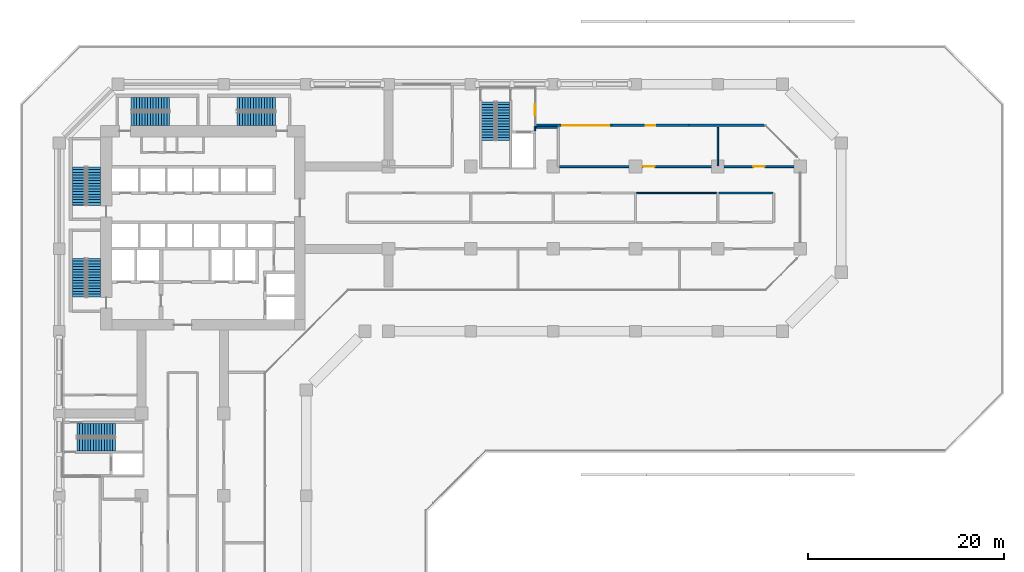
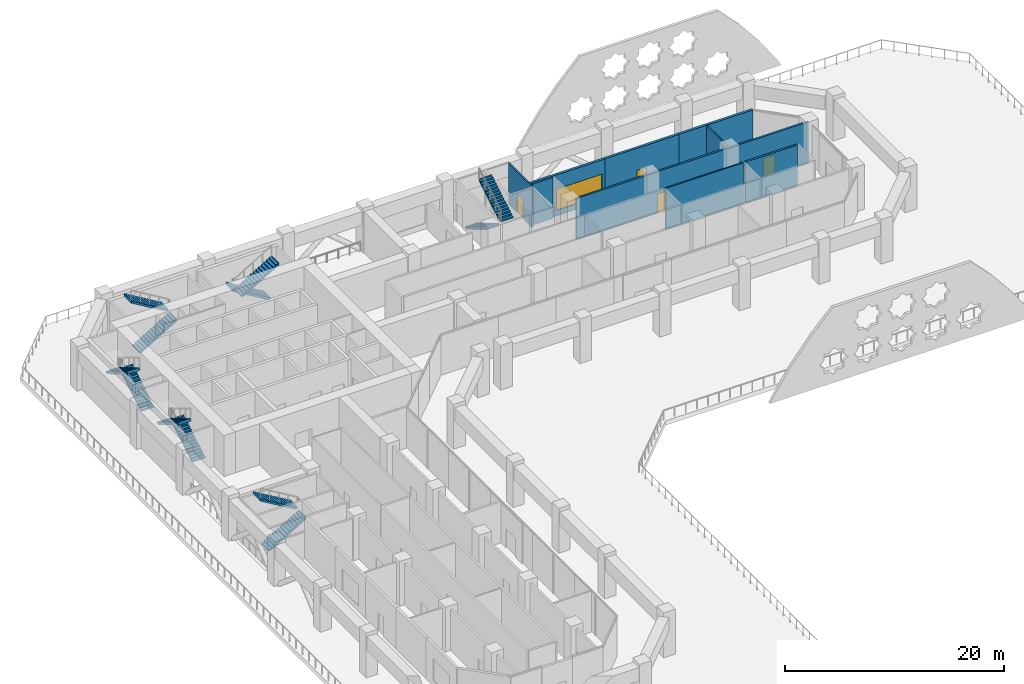
# One storey, part 10 of 19: 12 stair flights, 9 walls, 4 doors, 1 window, 5 openings, 6 elements without a shape of their own.
"""IFC4 building model written with IfcOpenShell, lengths in metres."""

from ifc_helpers import new_model, si_unit, direction, frame, frame_2d, origin, place, context, subcontext, project, spatial, polyline, rectangle, outline, extrude, material, layer, layer_set, type_object, element, fill, aggregate, save


model = new_model("IFC4")

# Units and contexts
model_context = context("Model", 3, precision=1e-05, world=origin(), true_north=direction((0.0, 1.0)))
body_context = subcontext(model_context, "Body", "Model", "MODEL_VIEW")
ifc_project = project(units=[si_unit("LENGTHUNIT", "METRE"), si_unit("AREAUNIT", "SQUARE_METRE"), si_unit("VOLUMEUNIT", "CUBIC_METRE"), si_unit("PLANEANGLEUNIT", "RADIAN"), si_unit("MASSUNIT", "GRAM", prefix="KILO")], contexts=[model_context])

# Site, building, storey
site_placement = place(None, origin())
site = spatial("IfcSite", under=ifc_project, at=site_placement, CompositionType="ELEMENT")
building_placement = place(site_placement, origin())
building = spatial("IfcBuilding", under=site, at=building_placement, Name="Kawkab Arch Medical Tower", CompositionType="ELEMENT")
storey_placement = place(building_placement, frame((0.0, 0.0, 34.199951171875)))
storey = spatial("IfcBuildingStorey", under=building, at=storey_placement, Name="L07", CompositionType="ELEMENT", Elevation=34.199951171875)

# Wall, opening, door
ifc_material_1 = material(Name="Gypsum board on steel studs", Category="steel")
ifc_layer_1 = layer(ifc_material_1, 0.14990234375)
ifc_layer_set_1 = layer_set([ifc_layer_1], Name="Gypsum board on steel studs")
wall_type_1 = type_object("IfcWallType", Name="Core room partition 150", PredefinedType="PARTITIONING", material=ifc_layer_set_1)
wall_1_placement = place(storey_placement, frame((48.52490234375, -4.77490234375, 0.0), z_axis=(0.0, 0.0, 1.0), x_axis=(0.0, 1.0, 0.0)))
wall_1 = element("IfcWall", 1, at=wall_1_placement, inside=storey, type_object=wall_type_1, Name="L07 core room partition", PredefinedType="PARTITIONING", context=body_context, shape_type="SweptSolid", body=[
    extrude(rectangle(XDim=4.324951171875, YDim=0.14990234375, at=frame_2d((2.16259765625, 0.0))), origin(), (0.0, 0.0, 1.0), 4.580078125),
])
opening_1_placement = place(wall_1_placement, frame((1.625, 0.0, 0.0)))
opening_1 = element("IfcOpeningElement", 2, at=opening_1_placement, cuts=wall_1, Name="Opening FD", PredefinedType="OPENING", context=body_context, shape_type="SweptSolid", body=[
    extrude(rectangle(XDim=1.10009765625, YDim=2.10009765625, at=frame_2d((0.550048828125, 1.050048828125))), frame((0.0, 0.0849609375, 0.0), z_axis=(0.0, -1.0, 0.0), x_axis=(1.0, 0.0, 0.0)), (0.0, 0.0, 1.0), 0.169921875),
])
ifc_material_2 = material(Name="Hollow metal fire door leaf")
door_type_1 = type_object("IfcDoorType", Name="Firefighting lobby door 1100", OperationType="SINGLE_SWING_LEFT", PredefinedType="DOOR", material=ifc_material_2)
door_1_placement = place(opening_1_placement, origin())
door_1 = element("IfcDoor", 3, at=door_1_placement, inside=storey, type_object=door_type_1, Name="L07 Service lift lobby door SV1", OperationType="SINGLE_SWING_LEFT", OverallHeight=2.10009765625, OverallWidth=1.10009765625, PredefinedType="DOOR", context=body_context, shape_type="SweptSolid", body=[
    extrude(rectangle(XDim=1.10009765625, YDim=2.10009765625, at=frame_2d((0.550048828125, 1.050048828125))), frame((0.0, 0.02490234375, 0.0), z_axis=(0.0, -1.0, 0.0), x_axis=(1.0, 0.0, 0.0)), (0.0, 0.0, 1.0), 0.050048828125),
])
fill(opening_1, door_1)

# Wall
ifc_material_3 = material(Name="Bronze clad insulated wall panel")
ifc_layer_2 = layer(ifc_material_3, 0.25)
ifc_layer_set_2 = layer_set([ifc_layer_2], Name="Bronze clad insulated wall panel")
wall_type_2 = type_object("IfcWallType", Name="External wall bay 250", PredefinedType="SOLIDWALL", material=ifc_layer_set_2)
wall_2_placement = place(storey_placement, frame((72.06005859375, -4.199951171875, 0.0), z_axis=(0.0, 0.0, 1.0), x_axis=(-1.0, 0.0, 0.0)))
element("IfcWall", 4, at=wall_2_placement, inside=storey, type_object=wall_type_2, Name="Plant wall L07.R15.1", PredefinedType="SOLIDWALL", context=body_context, shape_type="SweptSolid", body=[
    extrude(rectangle(XDim=7.81982421875, YDim=0.25, at=frame_2d((3.909912109375, 0.0))), origin(), (0.0, 0.0, 1.0), 4.580078125),
])

# Wall, opening, door
wall_3_placement = place(storey_placement, frame((64.240234375, -4.199951171875, 0.0), z_axis=(0.0, 0.0, 1.0), x_axis=(-1.0, 0.0, 0.0)))
wall_3 = element("IfcWall", 5, at=wall_3_placement, inside=storey, type_object=wall_type_2, Name="Plant wall L07.R15.2", PredefinedType="SOLIDWALL", context=body_context, shape_type="SweptSolid", body=[
    extrude(rectangle(XDim=7.819580078125, YDim=0.25, at=frame_2d((3.90966796875, 0.0))), origin(), (0.0, 0.0, 1.0), 4.580078125),
])
opening_2_placement = place(wall_3_placement, frame((3.4091796875, 0.0, 0.0)))
opening_2 = element("IfcOpeningElement", 6, at=opening_2_placement, cuts=wall_3, Name="Opening PL1A-701", PredefinedType="OPENING", context=body_context, shape_type="SweptSolid", body=[
    extrude(rectangle(XDim=1.0, YDim=2.10009765625, at=frame_2d((0.5, 1.050048828125))), frame((0.0, 0.135009765625, 0.0), z_axis=(0.0, -1.0, 0.0), x_axis=(1.0, 0.0, 0.0)), (0.0, 0.0, 1.0), 0.27001953125),
])
ifc_material_4 = material(Name="Bronze anodised aluminium door with tinted glass", Category="aluminium")
door_type_2 = type_object("IfcDoorType", Name="Single external door 1000 x 2100", OperationType="SINGLE_SWING_LEFT", PredefinedType="DOOR", material=ifc_material_4)
door_2_placement = place(opening_2_placement, origin())
door_2 = element("IfcDoor", 7, at=door_2_placement, inside=storey, type_object=door_type_2, Name="Roof terrace door L07.R15.2", OperationType="SINGLE_SWING_LEFT", OverallHeight=2.10009765625, OverallWidth=1.0, PredefinedType="DOOR", context=body_context, shape_type="SweptSolid", body=[
    extrude(rectangle(XDim=1.0, YDim=2.10009765625, at=frame_2d((0.5, 1.050048828125))), frame((0.0, 0.02490234375, 0.0), z_axis=(0.0, -1.0, 0.0), x_axis=(1.0, 0.0, 0.0)), (0.0, 0.0, 1.0), 0.050048828125),
])
fill(opening_2, door_2)

# Wall, opening, window
wall_4_placement = place(storey_placement, frame((56.420654296875, -4.199951171875, 0.0), z_axis=(0.0, 0.0, 1.0), x_axis=(-1.0, 0.0, 0.0)))
wall_4 = element("IfcWall", 8, at=wall_4_placement, inside=storey, type_object=wall_type_2, Name="Plant wall L07.R15.3", PredefinedType="SOLIDWALL", context=body_context, shape_type="SweptSolid", body=[
    extrude(rectangle(XDim=7.819580078125, YDim=0.25, at=frame_2d((3.90966796875, 0.0))), origin(), (0.0, 0.0, 1.0), 4.580078125),
])
opening_3_placement = place(wall_4_placement, frame((0.309814453125, 0.0, 0.60009765625)))
opening_3 = element("IfcOpeningElement", 9, at=opening_3_placement, cuts=wall_4, Name="Opening PW480-24-S6", PredefinedType="OPENING", context=body_context, shape_type="SweptSolid", body=[
    extrude(rectangle(XDim=4.800048828125, YDim=2.39990234375, at=frame_2d((2.39990234375, 1.199951171875))), frame((0.0, 0.135009765625, 0.0), z_axis=(0.0, -1.0, 0.0), x_axis=(1.0, 0.0, 0.0)), (0.0, 0.0, 1.0), 0.27001953125),
])
ifc_material_5 = material(Name="Bronze anodised aluminium louvred window", Category="aluminium")
window_type = type_object("IfcWindowType", Name="Plant louvre window 4800 x 2400 sill 600", PartitioningType="DOUBLE_PANEL_VERTICAL", PredefinedType="WINDOW", material=ifc_material_5)
window_placement = place(opening_3_placement, origin())
window = element("IfcWindow", 10, at=window_placement, inside=storey, type_object=window_type, Name="Plant louvre window L07.R15.3", OverallHeight=2.39990234375, OverallWidth=4.800048828125, PartitioningType="SINGLE_PANEL", PredefinedType="WINDOW", context=body_context, shape_type="SweptSolid", body=[
    extrude(rectangle(XDim=4.800048828125, YDim=2.39990234375, at=frame_2d((2.39990234375, 1.199951171875))), frame((0.0, 0.030029296875, 0.0), z_axis=(0.0, -1.0, 0.0), x_axis=(1.0, 0.0, 0.0)), (0.0, 0.0, 1.0), 0.06005859375),
])
fill(opening_3, window)

# Walls
ifc_material_6 = material(Name="Gypsum board partition on steel studs, mineral wool", Category="steel")
ifc_layer_3 = layer(ifc_material_6, 0.14990234375)
ifc_layer_set_3 = layer_set([ifc_layer_3], Name="Gypsum board partition on steel studs, mineral wool")
wall_type_3 = type_object("IfcWallType", Name="Partition 150", PredefinedType="PARTITIONING", material=ifc_layer_set_3)
wall_5_placement = place(storey_placement, frame((58.89990234375, -11.10009765625, 0.0), z_axis=(0.0, 0.0, 1.0), x_axis=(1.0, 0.0, 0.0)))
element("IfcWall", 11, at=wall_5_placement, inside=storey, type_object=wall_type_3, Name="Partition 150 w011", PredefinedType="PARTITIONING", context=body_context, shape_type="SweptSolid", body=[
    extrude(rectangle(XDim=8.2001953125, YDim=0.14990234375, at=frame_2d((4.10009765625, 0.0))), origin(), (0.0, 0.0, 1.0), 4.580078125),
])
wall_6_placement = place(storey_placement, frame((67.199951171875, -8.300048828125, 0.0), z_axis=(0.0, 0.0, 1.0), x_axis=(0.0, 1.0, 0.0)))
element("IfcWall", 12, at=wall_6_placement, inside=storey, type_object=wall_type_3, Name="Partition 150 w017", PredefinedType="PARTITIONING", context=body_context, shape_type="SweptSolid", body=[
    extrude(rectangle(XDim=3.900146484375, YDim=0.14990234375, at=frame_2d((1.9501953125, 0.0))), origin(), (0.0, 0.0, 1.0), 4.580078125),
])
ifc_material_7 = material(Name="Fire-rated gypsum board partition on steel studs", Category="steel")
ifc_layer_4 = layer(ifc_material_7, 0.199951171875)
ifc_layer_set_4 = layer_set([ifc_layer_4], Name="Fire-rated gypsum board partition on steel studs")
wall_type_4 = type_object("IfcWallType", Name="Protected partition 200", PredefinedType="PARTITIONING", material=ifc_layer_set_4)
wall_7_placement = place(storey_placement, frame((67.300048828125, -11.10009765625, 0.0), z_axis=(0.0, 0.0, 1.0), x_axis=(1.0, 0.0, 0.0)))
element("IfcWall", 13, at=wall_7_placement, inside=storey, type_object=wall_type_4, Name="Protected partition 200 w029", PredefinedType="PARTITIONING", context=body_context, shape_type="SweptSolid", body=[
    extrude(rectangle(XDim=5.4970703125, YDim=0.199951171875, at=frame_2d((2.74853515625, 0.0))), origin(), (0.0, 0.0, 1.0), 4.580078125),
])

# Wall, openings, doors
wall_8_placement = place(storey_placement, frame((51.027099609375, -8.39990234375, 0.0), z_axis=(0.0, 0.0, 1.0), x_axis=(1.0, 0.0, 0.0)))
wall_8 = element("IfcWall", 14, at=wall_8_placement, inside=storey, type_object=wall_type_4, Name="Protected partition 200 w031", PredefinedType="PARTITIONING", context=body_context, shape_type="SweptSolid", body=[
    extrude(rectangle(XDim=24.492919921875, YDim=0.199951171875, at=frame_2d((12.24658203125, 0.0))), origin(), (0.0, 0.0, 1.0), 4.580078125),
])
opening_4_placement = place(wall_8_placement, frame((8.537109375, 0.0, 0.0)))
opening_4 = element("IfcOpeningElement", 15, at=opening_4_placement, cuts=wall_8, Name="Opening PL1A-005", PredefinedType="OPENING", context=body_context, shape_type="SweptSolid", body=[
    extrude(rectangle(XDim=1.199951171875, YDim=2.10009765625, at=frame_2d((0.60009765625, 1.050048828125))), frame((0.0, 0.10986328125, 0.0), z_axis=(0.0, -1.0, 0.0), x_axis=(1.0, 0.0, 0.0)), (0.0, 0.0, 1.0), 0.219970703125),
])
opening_5_placement = place(wall_8_placement, frame((19.77294921875, 0.0, 0.0)))
opening_5 = element("IfcOpeningElement", 16, at=opening_5_placement, cuts=wall_8, Name="Opening PL1A-006", PredefinedType="OPENING", context=body_context, shape_type="SweptSolid", body=[
    extrude(rectangle(XDim=1.199951171875, YDim=2.10009765625, at=frame_2d((0.60009765625, 1.050048828125))), frame((0.0, 0.10986328125, 0.0), z_axis=(0.0, -1.0, 0.0), x_axis=(1.0, 0.0, 0.0)), (0.0, 0.0, 1.0), 0.219970703125),
])
ifc_material_8 = material(Name="Hollow metal door leaf")
door_type_3 = type_object("IfcDoorType", Name="Single door 1200x2100 FD60", OperationType="NOTDEFINED", PredefinedType="DOOR", material=ifc_material_8)
door_3_placement = place(opening_4_placement, origin())
door_3 = element("IfcDoor", 17, at=door_3_placement, inside=storey, type_object=door_type_3, Name="Door PL1A-005", OperationType="SINGLE_SWING_LEFT", OverallHeight=2.10009765625, OverallWidth=1.199951171875, PredefinedType="DOOR", context=body_context, shape_type="SweptSolid", body=[
    extrude(rectangle(XDim=1.199951171875, YDim=2.10009765625, at=frame_2d((0.60009765625, 1.050048828125))), frame((0.0, 0.02490234375, 0.0), z_axis=(0.0, -1.0, 0.0), x_axis=(1.0, 0.0, 0.0)), (0.0, 0.0, 1.0), 0.050048828125),
])
fill(opening_4, door_3)
door_4_placement = place(opening_5_placement, origin())
door_4 = element("IfcDoor", 18, at=door_4_placement, inside=storey, type_object=door_type_3, Name="Door PL1A-006", OperationType="SINGLE_SWING_RIGHT", OverallHeight=2.10009765625, OverallWidth=1.199951171875, PredefinedType="DOOR", context=body_context, shape_type="SweptSolid", body=[
    extrude(rectangle(XDim=1.199951171875, YDim=2.10009765625, at=frame_2d((0.60009765625, 1.050048828125))), frame((0.0, 0.02490234375, 0.0), z_axis=(0.0, -1.0, 0.0), x_axis=(1.0, 0.0, 0.0)), (0.0, 0.0, 1.0), 0.050048828125),
])
fill(opening_5, door_4)

# Wall
wall_9_placement = place(storey_placement, frame((48.679931640625, -4.39990234375, 0.0), z_axis=(0.0, 0.0, 1.0), x_axis=(1.0, 0.0, 0.0)))
element("IfcWall", 19, at=wall_9_placement, inside=storey, type_object=wall_type_4, Name="Protected partition 200 w032", PredefinedType="PARTITIONING", context=body_context, shape_type="SweptSolid", body=[
    extrude(rectangle(XDim=2.14306640625, YDim=0.199951171875, at=frame_2d((1.071533203125, 0.0))), origin(), (0.0, 0.0, 1.0), 4.580078125),
])

# Stair, stair flights
ifc_material_9 = material(Name="Concrete C40/50", Category="concrete")
stair_type = type_object("IfcStairType", Name="Exit stair 1350", PredefinedType="HALF_TURN_STAIR", material=ifc_material_9)
placement = place(storey_placement, origin())
stair_1 = element("IfcStair", 20, at=placement, inside=storey, type_object=stair_type, Name="L07 Exit stair ST1", PredefinedType="HALF_TURN_STAIR")
ifc_material_10 = material(Name="Concrete C40/50", Category="concrete")
stair_flight_type = type_object("IfcStairFlightType", Name="Exit stair flight 1350", PredefinedType="STRAIGHT", material=ifc_material_10)
stair_flight_1_placement = place(storey_placement, frame((3.52490234375, -12.35009765625, 0.0), z_axis=(0.0, 0.0, 1.0), x_axis=(0.0, 1.0, 0.0)))
stair_flight_1 = element("IfcStairFlight", 21, at=stair_flight_1_placement, type_object=stair_flight_type, Name="ST1 flight 1", NumberOfRisers=15, NumberOfTreads=14, PredefinedType="STRAIGHT", RiserHeight=0.166666667, TreadLength=0.28, context=body_context, shape_type="SweptSolid", body=[
    extrude(outline(polyline([(-0.0029296875, 0.0), (-0.0029296875, 0.166748046875), (0.0, 0.166748046875), (0.280029296875, 0.166748046875), (0.280029296875, 0.333251953125), (0.56005859375, 0.333251953125), (0.56005859375, 0.5), (0.840087890625, 0.5), (0.840087890625, 0.666748046875), (1.1201171875, 0.666748046875), (1.1201171875, 0.833251953125), (1.39990234375, 0.833251953125), (1.39990234375, 1.0), (1.679931640625, 1.0), (1.679931640625, 1.166748046875), (1.9599609375, 1.166748046875), (1.9599609375, 1.333251953125), (2.239990234375, 1.333251953125), (2.239990234375, 1.5), (2.52001953125, 1.5), (2.52001953125, 1.666748046875), (2.800048828125, 1.666748046875), (2.800048828125, 1.833251953125), (3.080078125, 1.833251953125), (3.080078125, 2.0), (3.360107421875, 2.0), (3.360107421875, 2.166748046875), (3.639892578125, 2.166748046875), (3.639892578125, 2.333251953125), (3.919921875, 2.333251953125), (3.919921875, 2.5), (3.923095703125, 2.5), (3.923095703125, 2.158935546875), (3.919921875, 2.158935546875), (0.29296875, 0.0), (-0.0029296875, 0.0)])), frame((0.0, 0.675048828125, 0.0), z_axis=(0.0, -1.0, 0.0), x_axis=(1.0, 0.0, 0.0)), (0.0, 0.0, 1.0), 1.35009765625),
])
stair_flight_2_placement = place(storey_placement, frame((2.02490234375, -8.429931640625, 2.5), z_axis=(0.0, 0.0, 1.0), x_axis=(0.0, -1.0, 0.0)))
stair_flight_2 = element("IfcStairFlight", 22, at=stair_flight_2_placement, type_object=stair_flight_type, Name="ST1 flight 2", NumberOfRisers=15, NumberOfTreads=14, PredefinedType="STRAIGHT", RiserHeight=0.166666667, TreadLength=0.28, context=body_context, shape_type="SweptSolid", body=[
    extrude(outline(polyline([(-0.0029296875, 0.0), (-0.0029296875, 0.166748046875), (0.0, 0.166748046875), (0.280029296875, 0.166748046875), (0.280029296875, 0.333251953125), (0.56005859375, 0.333251953125), (0.56005859375, 0.5), (0.840087890625, 0.5), (0.840087890625, 0.666748046875), (1.1201171875, 0.666748046875), (1.1201171875, 0.833251953125), (1.39990234375, 0.833251953125), (1.39990234375, 1.0), (1.679931640625, 1.0), (1.679931640625, 1.166748046875), (1.9599609375, 1.166748046875), (1.9599609375, 1.333251953125), (2.239990234375, 1.333251953125), (2.239990234375, 1.5), (2.52001953125, 1.5), (2.52001953125, 1.666748046875), (2.800048828125, 1.666748046875), (2.800048828125, 1.833251953125), (3.080078125, 1.833251953125), (3.080078125, 2.0), (3.360107421875, 2.0), (3.360107421875, 2.166748046875), (3.639892578125, 2.166748046875), (3.639892578125, 2.333251953125), (3.919921875, 2.333251953125), (3.919921875, 2.5), (3.923095703125, 2.5), (3.923095703125, 2.158935546875), (3.919921875, 2.158935546875), (0.29296875, 0.0), (-0.0029296875, 0.0)])), frame((0.0, 0.675048828125, 0.0), z_axis=(0.0, -1.0, 0.0), x_axis=(1.0, 0.0, 0.0)), (0.0, 0.0, 1.0), 1.35009765625),
])
aggregate(stair_1, [stair_flight_1, stair_flight_2])

stair_2 = element("IfcStair", 23, at=placement, inside=storey, type_object=stair_type, Name="L07 Exit stair ST2", PredefinedType="HALF_TURN_STAIR")
stair_flight_3_placement = place(storey_placement, frame((3.52490234375, -21.699951171875, 0.0), z_axis=(0.0, 0.0, 1.0), x_axis=(0.0, 1.0, 0.0)))
stair_flight_3 = element("IfcStairFlight", 24, at=stair_flight_3_placement, type_object=stair_flight_type, Name="ST2 flight 1", NumberOfRisers=15, NumberOfTreads=14, PredefinedType="STRAIGHT", RiserHeight=0.166666667, TreadLength=0.28, context=body_context, shape_type="SweptSolid", body=[
    extrude(outline(polyline([(-0.0029296875, 0.0), (-0.0029296875, 0.166748046875), (0.0, 0.166748046875), (0.280029296875, 0.166748046875), (0.280029296875, 0.333251953125), (0.56005859375, 0.333251953125), (0.56005859375, 0.5), (0.840087890625, 0.5), (0.840087890625, 0.666748046875), (1.1201171875, 0.666748046875), (1.1201171875, 0.833251953125), (1.39990234375, 0.833251953125), (1.39990234375, 1.0), (1.679931640625, 1.0), (1.679931640625, 1.166748046875), (1.9599609375, 1.166748046875), (1.9599609375, 1.333251953125), (2.239990234375, 1.333251953125), (2.239990234375, 1.5), (2.52001953125, 1.5), (2.52001953125, 1.666748046875), (2.800048828125, 1.666748046875), (2.800048828125, 1.833251953125), (3.080078125, 1.833251953125), (3.080078125, 2.0), (3.360107421875, 2.0), (3.360107421875, 2.166748046875), (3.639892578125, 2.166748046875), (3.639892578125, 2.333251953125), (3.919921875, 2.333251953125), (3.919921875, 2.5), (3.923095703125, 2.5), (3.923095703125, 2.158935546875), (3.919921875, 2.158935546875), (0.29296875, 0.0), (-0.0029296875, 0.0)])), frame((0.0, 0.675048828125, 0.0), z_axis=(0.0, -1.0, 0.0), x_axis=(1.0, 0.0, 0.0)), (0.0, 0.0, 1.0), 1.35009765625),
])
stair_flight_4_placement = place(storey_placement, frame((2.02490234375, -17.780029296875, 2.5), z_axis=(0.0, 0.0, 1.0), x_axis=(0.0, -1.0, 0.0)))
stair_flight_4 = element("IfcStairFlight", 25, at=stair_flight_4_placement, type_object=stair_flight_type, Name="ST2 flight 2", NumberOfRisers=15, NumberOfTreads=14, PredefinedType="STRAIGHT", RiserHeight=0.166666667, TreadLength=0.28, context=body_context, shape_type="SweptSolid", body=[
    extrude(outline(polyline([(-0.0029296875, 0.0), (-0.0029296875, 0.166748046875), (0.0, 0.166748046875), (0.280029296875, 0.166748046875), (0.280029296875, 0.333251953125), (0.56005859375, 0.333251953125), (0.56005859375, 0.5), (0.840087890625, 0.5), (0.840087890625, 0.666748046875), (1.1201171875, 0.666748046875), (1.1201171875, 0.833251953125), (1.39990234375, 0.833251953125), (1.39990234375, 1.0), (1.679931640625, 1.0), (1.679931640625, 1.166748046875), (1.9599609375, 1.166748046875), (1.9599609375, 1.333251953125), (2.239990234375, 1.333251953125), (2.239990234375, 1.5), (2.52001953125, 1.5), (2.52001953125, 1.666748046875), (2.800048828125, 1.666748046875), (2.800048828125, 1.833251953125), (3.080078125, 1.833251953125), (3.080078125, 2.0), (3.360107421875, 2.0), (3.360107421875, 2.166748046875), (3.639892578125, 2.166748046875), (3.639892578125, 2.333251953125), (3.919921875, 2.333251953125), (3.919921875, 2.5), (3.923095703125, 2.5), (3.923095703125, 2.158935546875), (3.919921875, 2.158935546875), (0.29296875, 0.0), (-0.0029296875, 0.0)])), frame((0.0, 0.675048828125, 0.0), z_axis=(0.0, -1.0, 0.0), x_axis=(1.0, 0.0, 0.0)), (0.0, 0.0, 1.0), 1.35009765625),
])
aggregate(stair_2, [stair_flight_3, stair_flight_4])

stair_3 = element("IfcStair", 26, at=placement, inside=storey, type_object=stair_type, Name="L07 Exit stair ST3", PredefinedType="HALF_TURN_STAIR")
stair_flight_5_placement = place(storey_placement, frame((7.35009765625, -3.52490234375, 0.0), z_axis=(0.0, 0.0, 1.0), x_axis=(1.0, 0.0, 0.0)))
stair_flight_5 = element("IfcStairFlight", 27, at=stair_flight_5_placement, type_object=stair_flight_type, Name="ST3 flight 1", NumberOfRisers=15, NumberOfTreads=14, PredefinedType="STRAIGHT", RiserHeight=0.166666667, TreadLength=0.28, context=body_context, shape_type="SweptSolid", body=[
    extrude(outline(polyline([(-0.0029296875, 0.0), (-0.0029296875, 0.166748046875), (0.0, 0.166748046875), (0.280029296875, 0.166748046875), (0.280029296875, 0.333251953125), (0.56005859375, 0.333251953125), (0.56005859375, 0.5), (0.840087890625, 0.5), (0.840087890625, 0.666748046875), (1.1201171875, 0.666748046875), (1.1201171875, 0.833251953125), (1.39990234375, 0.833251953125), (1.39990234375, 1.0), (1.679931640625, 1.0), (1.679931640625, 1.166748046875), (1.9599609375, 1.166748046875), (1.9599609375, 1.333251953125), (2.239990234375, 1.333251953125), (2.239990234375, 1.5), (2.52001953125, 1.5), (2.52001953125, 1.666748046875), (2.800048828125, 1.666748046875), (2.800048828125, 1.833251953125), (3.080078125, 1.833251953125), (3.080078125, 2.0), (3.360107421875, 2.0), (3.360107421875, 2.166748046875), (3.639892578125, 2.166748046875), (3.639892578125, 2.333251953125), (3.919921875, 2.333251953125), (3.919921875, 2.5), (3.923095703125, 2.5), (3.923095703125, 2.158935546875), (3.919921875, 2.158935546875), (0.29296875, 0.0), (-0.0029296875, 0.0)])), frame((0.0, 0.675048828125, 0.0), z_axis=(0.0, -1.0, 0.0), x_axis=(1.0, 0.0, 0.0)), (0.0, 0.0, 1.0), 1.35009765625),
])
stair_flight_6_placement = place(storey_placement, frame((11.27001953125, -2.02490234375, 2.5), z_axis=(0.0, 0.0, 1.0), x_axis=(-1.0, 0.0, 0.0)))
stair_flight_6 = element("IfcStairFlight", 28, at=stair_flight_6_placement, type_object=stair_flight_type, Name="ST3 flight 2", NumberOfRisers=15, NumberOfTreads=14, PredefinedType="STRAIGHT", RiserHeight=0.166666667, TreadLength=0.28, context=body_context, shape_type="SweptSolid", body=[
    extrude(outline(polyline([(-0.0029296875, 0.0), (-0.0029296875, 0.166748046875), (0.0, 0.166748046875), (0.280029296875, 0.166748046875), (0.280029296875, 0.333251953125), (0.56005859375, 0.333251953125), (0.56005859375, 0.5), (0.840087890625, 0.5), (0.840087890625, 0.666748046875), (1.1201171875, 0.666748046875), (1.1201171875, 0.833251953125), (1.39990234375, 0.833251953125), (1.39990234375, 1.0), (1.679931640625, 1.0), (1.679931640625, 1.166748046875), (1.9599609375, 1.166748046875), (1.9599609375, 1.333251953125), (2.239990234375, 1.333251953125), (2.239990234375, 1.5), (2.52001953125, 1.5), (2.52001953125, 1.666748046875), (2.800048828125, 1.666748046875), (2.800048828125, 1.833251953125), (3.080078125, 1.833251953125), (3.080078125, 2.0), (3.360107421875, 2.0), (3.360107421875, 2.166748046875), (3.639892578125, 2.166748046875), (3.639892578125, 2.333251953125), (3.919921875, 2.333251953125), (3.919921875, 2.5), (3.923095703125, 2.5), (3.923095703125, 2.158935546875), (3.919921875, 2.158935546875), (0.29296875, 0.0), (-0.0029296875, 0.0)])), frame((0.0, 0.675048828125, 0.0), z_axis=(0.0, -1.0, 0.0), x_axis=(1.0, 0.0, 0.0)), (0.0, 0.0, 1.0), 1.35009765625),
])
aggregate(stair_3, [stair_flight_5, stair_flight_6])

stair_4 = element("IfcStair", 29, at=placement, inside=storey, type_object=stair_type, Name="L07 Exit stair ST4", PredefinedType="HALF_TURN_STAIR")
stair_flight_7_placement = place(storey_placement, frame((22.050048828125, -2.02490234375, 0.0), z_axis=(0.0, 0.0, 1.0), x_axis=(-1.0, 0.0, 0.0)))
stair_flight_7 = element("IfcStairFlight", 30, at=stair_flight_7_placement, type_object=stair_flight_type, Name="ST4 flight 1", NumberOfRisers=15, NumberOfTreads=14, PredefinedType="STRAIGHT", RiserHeight=0.166666667, TreadLength=0.28, context=body_context, shape_type="SweptSolid", body=[
    extrude(outline(polyline([(-0.0029296875, 0.0), (-0.0029296875, 0.166748046875), (0.0, 0.166748046875), (0.280029296875, 0.166748046875), (0.280029296875, 0.333251953125), (0.56005859375, 0.333251953125), (0.56005859375, 0.5), (0.840087890625, 0.5), (0.840087890625, 0.666748046875), (1.1201171875, 0.666748046875), (1.1201171875, 0.833251953125), (1.39990234375, 0.833251953125), (1.39990234375, 1.0), (1.679931640625, 1.0), (1.679931640625, 1.166748046875), (1.9599609375, 1.166748046875), (1.9599609375, 1.333251953125), (2.239990234375, 1.333251953125), (2.239990234375, 1.5), (2.52001953125, 1.5), (2.52001953125, 1.666748046875), (2.800048828125, 1.666748046875), (2.800048828125, 1.833251953125), (3.080078125, 1.833251953125), (3.080078125, 2.0), (3.360107421875, 2.0), (3.360107421875, 2.166748046875), (3.639892578125, 2.166748046875), (3.639892578125, 2.333251953125), (3.919921875, 2.333251953125), (3.919921875, 2.5), (3.923095703125, 2.5), (3.923095703125, 2.158935546875), (3.919921875, 2.158935546875), (0.29296875, 0.0), (-0.0029296875, 0.0)])), frame((0.0, 0.675048828125, 0.0), z_axis=(0.0, -1.0, 0.0), x_axis=(1.0, 0.0, 0.0)), (0.0, 0.0, 1.0), 1.35009765625),
])
stair_flight_8_placement = place(storey_placement, frame((18.1298828125, -3.52490234375, 2.5), z_axis=(0.0, 0.0, 1.0), x_axis=(1.0, 0.0, 0.0)))
stair_flight_8 = element("IfcStairFlight", 31, at=stair_flight_8_placement, type_object=stair_flight_type, Name="ST4 flight 2", NumberOfRisers=15, NumberOfTreads=14, PredefinedType="STRAIGHT", RiserHeight=0.166666667, TreadLength=0.28, context=body_context, shape_type="SweptSolid", body=[
    extrude(outline(polyline([(-0.0029296875, 0.0), (-0.0029296875, 0.166748046875), (0.0, 0.166748046875), (0.280029296875, 0.166748046875), (0.280029296875, 0.333251953125), (0.56005859375, 0.333251953125), (0.56005859375, 0.5), (0.840087890625, 0.5), (0.840087890625, 0.666748046875), (1.1201171875, 0.666748046875), (1.1201171875, 0.833251953125), (1.39990234375, 0.833251953125), (1.39990234375, 1.0), (1.679931640625, 1.0), (1.679931640625, 1.166748046875), (1.9599609375, 1.166748046875), (1.9599609375, 1.333251953125), (2.239990234375, 1.333251953125), (2.239990234375, 1.5), (2.52001953125, 1.5), (2.52001953125, 1.666748046875), (2.800048828125, 1.666748046875), (2.800048828125, 1.833251953125), (3.080078125, 1.833251953125), (3.080078125, 2.0), (3.360107421875, 2.0), (3.360107421875, 2.166748046875), (3.639892578125, 2.166748046875), (3.639892578125, 2.333251953125), (3.919921875, 2.333251953125), (3.919921875, 2.5), (3.923095703125, 2.5), (3.923095703125, 2.158935546875), (3.919921875, 2.158935546875), (0.29296875, 0.0), (-0.0029296875, 0.0)])), frame((0.0, 0.675048828125, 0.0), z_axis=(0.0, -1.0, 0.0), x_axis=(1.0, 0.0, 0.0)), (0.0, 0.0, 1.0), 1.35009765625),
])
aggregate(stair_4, [stair_flight_7, stair_flight_8])

stair_5 = element("IfcStair", 32, at=placement, inside=storey, type_object=stair_type, Name="L07 Exit stair ST5", PredefinedType="HALF_TURN_STAIR")
stair_flight_9_placement = place(storey_placement, frame((43.77490234375, -1.800048828125, 0.0), z_axis=(0.0, 0.0, 1.0), x_axis=(0.0, -1.0, 0.0)))
stair_flight_9 = element("IfcStairFlight", 33, at=stair_flight_9_placement, type_object=stair_flight_type, Name="ST5 flight 1", NumberOfRisers=15, NumberOfTreads=14, PredefinedType="STRAIGHT", RiserHeight=0.166666667, TreadLength=0.28, context=body_context, shape_type="SweptSolid", body=[
    extrude(outline(polyline([(-0.0029296875, 0.0), (-0.0029296875, 0.166748046875), (0.0, 0.166748046875), (0.280029296875, 0.166748046875), (0.280029296875, 0.333251953125), (0.56005859375, 0.333251953125), (0.56005859375, 0.5), (0.840087890625, 0.5), (0.840087890625, 0.666748046875), (1.1201171875, 0.666748046875), (1.1201171875, 0.833251953125), (1.39990234375, 0.833251953125), (1.39990234375, 1.0), (1.679931640625, 1.0), (1.679931640625, 1.166748046875), (1.9599609375, 1.166748046875), (1.9599609375, 1.333251953125), (2.239990234375, 1.333251953125), (2.239990234375, 1.5), (2.52001953125, 1.5), (2.52001953125, 1.666748046875), (2.800048828125, 1.666748046875), (2.800048828125, 1.833251953125), (3.080078125, 1.833251953125), (3.080078125, 2.0), (3.360107421875, 2.0), (3.360107421875, 2.166748046875), (3.639892578125, 2.166748046875), (3.639892578125, 2.333251953125), (3.919921875, 2.333251953125), (3.919921875, 2.5), (3.923095703125, 2.5), (3.923095703125, 2.158935546875), (3.919921875, 2.158935546875), (0.29296875, 0.0), (-0.0029296875, 0.0)])), frame((0.0, 0.675048828125, 0.0), z_axis=(0.0, -1.0, 0.0), x_axis=(1.0, 0.0, 0.0)), (0.0, 0.0, 1.0), 1.35009765625),
])
stair_flight_10_placement = place(storey_placement, frame((45.27490234375, -5.719970703125, 2.5), z_axis=(0.0, 0.0, 1.0), x_axis=(0.0, 1.0, 0.0)))
stair_flight_10 = element("IfcStairFlight", 34, at=stair_flight_10_placement, type_object=stair_flight_type, Name="ST5 flight 2", NumberOfRisers=15, NumberOfTreads=14, PredefinedType="STRAIGHT", RiserHeight=0.166666667, TreadLength=0.28, context=body_context, shape_type="SweptSolid", body=[
    extrude(outline(polyline([(-0.0029296875, 0.0), (-0.0029296875, 0.166748046875), (0.0, 0.166748046875), (0.280029296875, 0.166748046875), (0.280029296875, 0.333251953125), (0.56005859375, 0.333251953125), (0.56005859375, 0.5), (0.840087890625, 0.5), (0.840087890625, 0.666748046875), (1.1201171875, 0.666748046875), (1.1201171875, 0.833251953125), (1.39990234375, 0.833251953125), (1.39990234375, 1.0), (1.679931640625, 1.0), (1.679931640625, 1.166748046875), (1.9599609375, 1.166748046875), (1.9599609375, 1.333251953125), (2.239990234375, 1.333251953125), (2.239990234375, 1.5), (2.52001953125, 1.5), (2.52001953125, 1.666748046875), (2.800048828125, 1.666748046875), (2.800048828125, 1.833251953125), (3.080078125, 1.833251953125), (3.080078125, 2.0), (3.360107421875, 2.0), (3.360107421875, 2.166748046875), (3.639892578125, 2.166748046875), (3.639892578125, 2.333251953125), (3.919921875, 2.333251953125), (3.919921875, 2.5), (3.923095703125, 2.5), (3.923095703125, 2.158935546875), (3.919921875, 2.158935546875), (0.29296875, 0.0), (-0.0029296875, 0.0)])), frame((0.0, 0.675048828125, 0.0), z_axis=(0.0, -1.0, 0.0), x_axis=(1.0, 0.0, 0.0)), (0.0, 0.0, 1.0), 1.35009765625),
])
aggregate(stair_5, [stair_flight_9, stair_flight_10])

stair_6 = element("IfcStair", 35, at=placement, inside=storey, type_object=stair_type, Name="L07 Exit stair ST6", PredefinedType="HALF_TURN_STAIR")
stair_flight_11_placement = place(storey_placement, frame((1.800048828125, -36.77490234375, 0.0), z_axis=(0.0, 0.0, 1.0), x_axis=(1.0, 0.0, 0.0)))
stair_flight_11 = element("IfcStairFlight", 36, at=stair_flight_11_placement, type_object=stair_flight_type, Name="ST6 flight 1", NumberOfRisers=15, NumberOfTreads=14, PredefinedType="STRAIGHT", RiserHeight=0.166666667, TreadLength=0.28, context=body_context, shape_type="SweptSolid", body=[
    extrude(outline(polyline([(-0.0029296875, 0.0), (-0.0029296875, 0.166748046875), (0.0, 0.166748046875), (0.280029296875, 0.166748046875), (0.280029296875, 0.333251953125), (0.56005859375, 0.333251953125), (0.56005859375, 0.5), (0.840087890625, 0.5), (0.840087890625, 0.666748046875), (1.1201171875, 0.666748046875), (1.1201171875, 0.833251953125), (1.39990234375, 0.833251953125), (1.39990234375, 1.0), (1.679931640625, 1.0), (1.679931640625, 1.166748046875), (1.9599609375, 1.166748046875), (1.9599609375, 1.333251953125), (2.239990234375, 1.333251953125), (2.239990234375, 1.5), (2.52001953125, 1.5), (2.52001953125, 1.666748046875), (2.800048828125, 1.666748046875), (2.800048828125, 1.833251953125), (3.080078125, 1.833251953125), (3.080078125, 2.0), (3.360107421875, 2.0), (3.360107421875, 2.166748046875), (3.639892578125, 2.166748046875), (3.639892578125, 2.333251953125), (3.919921875, 2.333251953125), (3.919921875, 2.5), (3.923095703125, 2.5), (3.923095703125, 2.158935546875), (3.919921875, 2.158935546875), (0.29296875, 0.0), (-0.0029296875, 0.0)])), frame((0.0, 0.675048828125, 0.0), z_axis=(0.0, -1.0, 0.0), x_axis=(1.0, 0.0, 0.0)), (0.0, 0.0, 1.0), 1.35009765625),
])
stair_flight_12_placement = place(storey_placement, frame((5.719970703125, -35.27490234375, 2.5), z_axis=(0.0, 0.0, 1.0), x_axis=(-1.0, 0.0, 0.0)))
stair_flight_12 = element("IfcStairFlight", 37, at=stair_flight_12_placement, type_object=stair_flight_type, Name="ST6 flight 2", NumberOfRisers=15, NumberOfTreads=14, PredefinedType="STRAIGHT", RiserHeight=0.166666667, TreadLength=0.28, context=body_context, shape_type="SweptSolid", body=[
    extrude(outline(polyline([(-0.0029296875, 0.0), (-0.0029296875, 0.166748046875), (0.0, 0.166748046875), (0.280029296875, 0.166748046875), (0.280029296875, 0.333251953125), (0.56005859375, 0.333251953125), (0.56005859375, 0.5), (0.840087890625, 0.5), (0.840087890625, 0.666748046875), (1.1201171875, 0.666748046875), (1.1201171875, 0.833251953125), (1.39990234375, 0.833251953125), (1.39990234375, 1.0), (1.679931640625, 1.0), (1.679931640625, 1.166748046875), (1.9599609375, 1.166748046875), (1.9599609375, 1.333251953125), (2.239990234375, 1.333251953125), (2.239990234375, 1.5), (2.52001953125, 1.5), (2.52001953125, 1.666748046875), (2.800048828125, 1.666748046875), (2.800048828125, 1.833251953125), (3.080078125, 1.833251953125), (3.080078125, 2.0), (3.360107421875, 2.0), (3.360107421875, 2.166748046875), (3.639892578125, 2.166748046875), (3.639892578125, 2.333251953125), (3.919921875, 2.333251953125), (3.919921875, 2.5), (3.923095703125, 2.5), (3.923095703125, 2.158935546875), (3.919921875, 2.158935546875), (0.29296875, 0.0), (-0.0029296875, 0.0)])), frame((0.0, 0.675048828125, 0.0), z_axis=(0.0, -1.0, 0.0), x_axis=(1.0, 0.0, 0.0)), (0.0, 0.0, 1.0), 1.35009765625),
])
aggregate(stair_6, [stair_flight_11, stair_flight_12])

save(model, "model.ifc")
